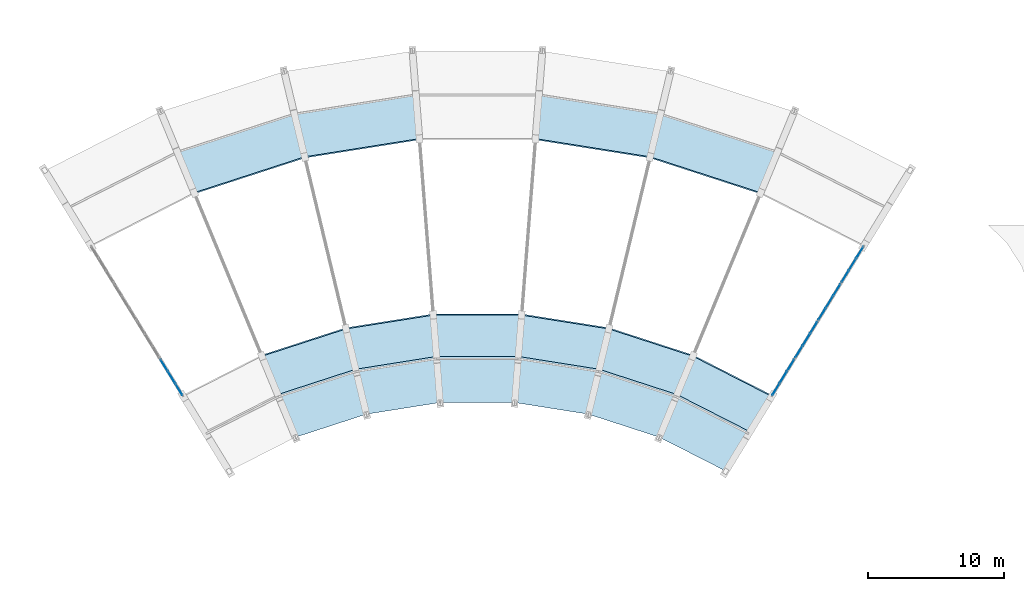
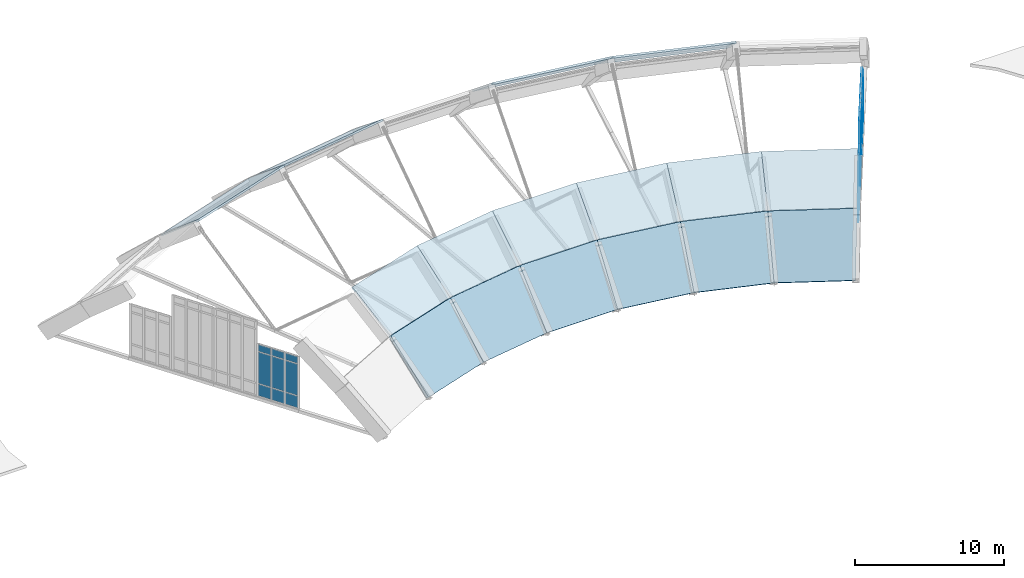
# One storey, part 18 of 34: 44 plates, 16 slabs, 5 elements without a shape of their own.
"""IFC4 building model written with IfcOpenShell, lengths in metres."""

from ifc_helpers import new_model, si_unit, direction, frame, origin, origin_2d, place, context, subcontext, project, spatial, polyline, rectangle, outline, extrude, material, layer, layer_set, type_object, element, aggregate, save


model = new_model("IFC4")

# Units and contexts
model_context = context("Model", 3, precision=1e-05, world=origin(), true_north=direction((0.0, 1.0)))
body_context = subcontext(model_context, "Body", "Model", "MODEL_VIEW")
ifc_project = project(units=[si_unit("LENGTHUNIT", "METRE"), si_unit("AREAUNIT", "SQUARE_METRE"), si_unit("VOLUMEUNIT", "CUBIC_METRE"), si_unit("PLANEANGLEUNIT", "RADIAN"), si_unit("MASSUNIT", "GRAM", prefix="KILO")], contexts=[model_context])

# Site, building, storey
site_placement = place(None, origin())
site = spatial("IfcSite", under=ifc_project, at=site_placement, CompositionType="ELEMENT")
building_placement = place(site_placement, origin())
building = spatial("IfcBuilding", under=site, at=building_placement, Name="Miralva Faculty of Natural Sciences", CompositionType="ELEMENT")
storey_placement = place(building_placement, frame((0.0, 0.0, 24.0)))
storey = spatial("IfcBuildingStorey", under=building, at=storey_placement, Name="L05", CompositionType="ELEMENT", Elevation=24.0)

# Curtain wall, plates
ifc_material_1 = material(Name="Laminated solar-control glass", Category="glass")
ifc_layer_1 = layer(ifc_material_1, 0.179931640625, Name="CW-ARC-L03")
ifc_layer_set_1 = layer_set([ifc_layer_1], Name="Laminated solar-control glass")
curtain_wall_type = type_object("IfcCurtainWallType", Name="CW-ARC-L03", PredefinedType="USERDEFINED", material=ifc_layer_set_1)
curtain_wall_1_placement = place(storey_placement, origin())
curtain_wall_1 = element("IfcCurtainWall", 1, at=curtain_wall_1_placement, inside=storey, type_object=curtain_wall_type, Name="Shell arch W clerestory curtain wall K2", ObjectType="UNITISED CURTAIN WALL", PredefinedType="USERDEFINED")
ifc_layer_2 = layer(ifc_material_1, 0.028076171875, Name="PNL-P01")
ifc_layer_set_2 = layer_set([ifc_layer_2], Name="Laminated solar-control glass")
plate_type = type_object("IfcPlateType", Name="PNL-P01", PredefinedType="CURTAIN_PANEL", material=ifc_layer_set_2)
plate_1_placement = place(storey_placement, frame((66.923583984375, 16.6572265625, 0.1552734375), z_axis=(0.0, 0.0, 1.0), x_axis=(0.522503617054, -0.852637068257, 0.0)))
plate_1 = element("IfcPlate", 2, at=plate_1_placement, type_object=plate_type, Name="CW-03 panel 1.1", PredefinedType="CURTAIN_PANEL", context=body_context, shape_type="SweptSolid", body=[
    extrude(rectangle(XDim=0.959228515625, YDim=0.028076171875, at=origin_2d()), origin(), (0.0, 0.0, 1.0), 0.952392578125),
])
plate_2_placement = place(storey_placement, frame((66.923583984375, 16.6572265625, 1.17236328125), z_axis=(0.0, 0.0, 1.0), x_axis=(0.522503617054, -0.852637068257, 0.0)))
plate_2 = element("IfcPlate", 3, at=plate_2_placement, type_object=plate_type, Name="CW-03 panel 1.2", PredefinedType="CURTAIN_PANEL", context=body_context, shape_type="SweptSolid", body=[
    extrude(rectangle(XDim=0.959228515625, YDim=0.028076171875, at=origin_2d()), origin(), (0.0, 0.0, 1.0), 2.564697265625),
])
plate_3_placement = place(storey_placement, frame((66.923583984375, 16.6572265625, 3.80224609375), z_axis=(0.0, 0.0, 1.0), x_axis=(0.522503617054, -0.852637068257, 0.0)))
plate_3 = element("IfcPlate", 4, at=plate_3_placement, type_object=plate_type, Name="CW-03 panel 1.3", PredefinedType="CURTAIN_PANEL", context=body_context, shape_type="SweptSolid", body=[
    extrude(rectangle(XDim=0.959228515625, YDim=0.028076171875, at=origin_2d()), origin(), (0.0, 0.0, 1.0), 0.552490234375),
])
plate_4_placement = place(storey_placement, frame((67.46728515625, 15.77001953125, 0.1552734375), z_axis=(0.0, 0.0, 1.0), x_axis=(0.522503617054, -0.852637068257, 0.0)))
plate_4 = element("IfcPlate", 5, at=plate_4_placement, type_object=plate_type, Name="CW-03 panel 2.1", PredefinedType="CURTAIN_PANEL", context=body_context, shape_type="SweptSolid", body=[
    extrude(rectangle(XDim=0.99169921875, YDim=0.028076171875, at=origin_2d()), origin(), (0.0, 0.0, 1.0), 0.952392578125),
])
plate_5_placement = place(storey_placement, frame((67.46728515625, 15.77001953125, 1.17236328125), z_axis=(0.0, 0.0, 1.0), x_axis=(0.522503617054, -0.852637068257, 0.0)))
plate_5 = element("IfcPlate", 6, at=plate_5_placement, type_object=plate_type, Name="CW-03 panel 2.2", PredefinedType="CURTAIN_PANEL", context=body_context, shape_type="SweptSolid", body=[
    extrude(rectangle(XDim=0.99169921875, YDim=0.028076171875, at=origin_2d()), origin(), (0.0, 0.0, 1.0), 2.564697265625),
])
plate_6_placement = place(storey_placement, frame((67.46728515625, 15.77001953125, 3.80224609375), z_axis=(0.0, 0.0, 1.0), x_axis=(0.522503617054, -0.852637068257, 0.0)))
plate_6 = element("IfcPlate", 7, at=plate_6_placement, type_object=plate_type, Name="CW-03 panel 2.3", PredefinedType="CURTAIN_PANEL", context=body_context, shape_type="SweptSolid", body=[
    extrude(rectangle(XDim=0.99169921875, YDim=0.028076171875, at=origin_2d()), origin(), (0.0, 0.0, 1.0), 0.552490234375),
])
plate_7_placement = place(storey_placement, frame((68.0107421875, 14.883056640625, 0.1552734375), z_axis=(0.0, 0.0, 1.0), x_axis=(0.522503617054, -0.852637068257, 0.0)))
plate_7 = element("IfcPlate", 8, at=plate_7_placement, type_object=plate_type, Name="CW-03 panel 3.1", PredefinedType="CURTAIN_PANEL", context=body_context, shape_type="SweptSolid", body=[
    extrude(rectangle(XDim=0.959228515625, YDim=0.028076171875, at=origin_2d()), origin(), (0.0, 0.0, 1.0), 0.952392578125),
])
plate_8_placement = place(storey_placement, frame((68.0107421875, 14.883056640625, 1.17236328125), z_axis=(0.0, 0.0, 1.0), x_axis=(0.522503617054, -0.852637068257, 0.0)))
plate_8 = element("IfcPlate", 9, at=plate_8_placement, type_object=plate_type, Name="CW-03 panel 3.2", PredefinedType="CURTAIN_PANEL", context=body_context, shape_type="SweptSolid", body=[
    extrude(rectangle(XDim=0.959228515625, YDim=0.028076171875, at=origin_2d()), origin(), (0.0, 0.0, 1.0), 2.564697265625),
])
plate_9_placement = place(storey_placement, frame((68.0107421875, 14.883056640625, 3.80224609375), z_axis=(0.0, 0.0, 1.0), x_axis=(0.522503617054, -0.852637068257, 0.0)))
plate_9 = element("IfcPlate", 10, at=plate_9_placement, type_object=plate_type, Name="CW-03 panel 3.3", PredefinedType="CURTAIN_PANEL", context=body_context, shape_type="SweptSolid", body=[
    extrude(rectangle(XDim=0.959228515625, YDim=0.028076171875, at=origin_2d()), origin(), (0.0, 0.0, 1.0), 0.552490234375),
])
aggregate(curtain_wall_1, [plate_1, plate_2, plate_3, plate_4, plate_5, plate_6, plate_7, plate_8, plate_9])

curtain_wall_2_placement = place(storey_placement, origin())
curtain_wall_2 = element("IfcCurtainWall", 11, at=curtain_wall_2_placement, inside=storey, type_object=curtain_wall_type, Name="Shell arch E clerestory curtain wall K2", ObjectType="UNITISED CURTAIN WALL", PredefinedType="USERDEFINED")
plate_10_placement = place(storey_placement, frame((111.9892578125, 14.883056640625, 0.1552734375), z_axis=(0.0, 0.0, 1.0), x_axis=(0.522503617054, 0.852637068257, 0.0)))
plate_10 = element("IfcPlate", 12, at=plate_10_placement, type_object=plate_type, Name="CW-03 panel 1.1", PredefinedType="CURTAIN_PANEL", context=body_context, shape_type="SweptSolid", body=[
    extrude(rectangle(XDim=0.959228515625, YDim=0.028076171875, at=origin_2d()), origin(), (0.0, 0.0, 1.0), 0.952392578125),
])
plate_11_placement = place(storey_placement, frame((111.9892578125, 14.883056640625, 1.17236328125), z_axis=(0.0, 0.0, 1.0), x_axis=(0.522503617054, 0.852637068257, 0.0)))
plate_11 = element("IfcPlate", 13, at=plate_11_placement, type_object=plate_type, Name="CW-03 panel 1.2", PredefinedType="CURTAIN_PANEL", context=body_context, shape_type="SweptSolid", body=[
    extrude(rectangle(XDim=0.959228515625, YDim=0.028076171875, at=origin_2d()), origin(), (0.0, 0.0, 1.0), 2.564697265625),
])
plate_12_placement = place(storey_placement, frame((111.9892578125, 14.883056640625, 3.80224609375), z_axis=(0.0, 0.0, 1.0), x_axis=(0.522503617054, 0.852637068257, 0.0)))
plate_12 = element("IfcPlate", 14, at=plate_12_placement, type_object=plate_type, Name="CW-03 panel 1.3", PredefinedType="CURTAIN_PANEL", context=body_context, shape_type="SweptSolid", body=[
    extrude(rectangle(XDim=0.959228515625, YDim=0.028076171875, at=origin_2d()), origin(), (0.0, 0.0, 1.0), 0.552490234375),
])
plate_13_placement = place(storey_placement, frame((112.53271484375, 15.77001953125, 0.1552734375), z_axis=(0.0, 0.0, 1.0), x_axis=(0.522503617054, 0.852637068257, 0.0)))
plate_13 = element("IfcPlate", 15, at=plate_13_placement, type_object=plate_type, Name="CW-03 panel 2.1", PredefinedType="CURTAIN_PANEL", context=body_context, shape_type="SweptSolid", body=[
    extrude(rectangle(XDim=0.99169921875, YDim=0.028076171875, at=origin_2d()), origin(), (0.0, 0.0, 1.0), 0.952392578125),
])
plate_14_placement = place(storey_placement, frame((112.53271484375, 15.77001953125, 1.17236328125), z_axis=(0.0, 0.0, 1.0), x_axis=(0.522503617054, 0.852637068257, 0.0)))
plate_14 = element("IfcPlate", 16, at=plate_14_placement, type_object=plate_type, Name="CW-03 panel 2.2", PredefinedType="CURTAIN_PANEL", context=body_context, shape_type="SweptSolid", body=[
    extrude(rectangle(XDim=0.99169921875, YDim=0.028076171875, at=origin_2d()), origin(), (0.0, 0.0, 1.0), 2.564697265625),
])
plate_15_placement = place(storey_placement, frame((112.53271484375, 15.77001953125, 3.80224609375), z_axis=(0.0, 0.0, 1.0), x_axis=(0.522503617054, 0.852637068257, 0.0)))
plate_15 = element("IfcPlate", 17, at=plate_15_placement, type_object=plate_type, Name="CW-03 panel 2.3", PredefinedType="CURTAIN_PANEL", context=body_context, shape_type="SweptSolid", body=[
    extrude(rectangle(XDim=0.99169921875, YDim=0.028076171875, at=origin_2d()), origin(), (0.0, 0.0, 1.0), 0.552490234375),
])
plate_16_placement = place(storey_placement, frame((113.076416015625, 16.6572265625, 0.1552734375), z_axis=(0.0, 0.0, 1.0), x_axis=(0.522503617054, 0.852637068257, 0.0)))
plate_16 = element("IfcPlate", 18, at=plate_16_placement, type_object=plate_type, Name="CW-03 panel 3.1", PredefinedType="CURTAIN_PANEL", context=body_context, shape_type="SweptSolid", body=[
    extrude(rectangle(XDim=0.959228515625, YDim=0.028076171875, at=origin_2d()), origin(), (0.0, 0.0, 1.0), 0.952392578125),
])
plate_17_placement = place(storey_placement, frame((113.076416015625, 16.6572265625, 1.17236328125), z_axis=(0.0, 0.0, 1.0), x_axis=(0.522503617054, 0.852637068257, 0.0)))
plate_17 = element("IfcPlate", 19, at=plate_17_placement, type_object=plate_type, Name="CW-03 panel 3.2", PredefinedType="CURTAIN_PANEL", context=body_context, shape_type="SweptSolid", body=[
    extrude(rectangle(XDim=0.959228515625, YDim=0.028076171875, at=origin_2d()), origin(), (0.0, 0.0, 1.0), 2.564697265625),
])
plate_18_placement = place(storey_placement, frame((113.076416015625, 16.6572265625, 3.80224609375), z_axis=(0.0, 0.0, 1.0), x_axis=(0.522503617054, 0.852637068257, 0.0)))
plate_18 = element("IfcPlate", 20, at=plate_18_placement, type_object=plate_type, Name="CW-03 panel 3.3", PredefinedType="CURTAIN_PANEL", context=body_context, shape_type="SweptSolid", body=[
    extrude(rectangle(XDim=0.959228515625, YDim=0.028076171875, at=origin_2d()), origin(), (0.0, 0.0, 1.0), 0.552490234375),
])
aggregate(curtain_wall_2, [plate_10, plate_11, plate_12, plate_13, plate_14, plate_15, plate_16, plate_17, plate_18])

curtain_wall_3_placement = place(storey_placement, origin())
curtain_wall_3 = element("IfcCurtainWall", 21, at=curtain_wall_3_placement, inside=storey, type_object=curtain_wall_type, Name="Shell arch E clerestory curtain wall K3", ObjectType="UNITISED CURTAIN WALL", PredefinedType="USERDEFINED")
plate_19_placement = place(storey_placement, frame((113.687255859375, 17.654052734375, 0.1552734375), z_axis=(0.0, 0.0, 1.0), x_axis=(0.522503617054, 0.852637068257, 0.0)))
plate_19 = element("IfcPlate", 22, at=plate_19_placement, type_object=plate_type, Name="CW-03 panel 1.1", PredefinedType="CURTAIN_PANEL", context=body_context, shape_type="SweptSolid", body=[
    extrude(rectangle(XDim=0.959228515625, YDim=0.028076171875, at=origin_2d()), origin(), (0.0, 0.0, 1.0), 0.952392578125),
])
plate_20_placement = place(storey_placement, frame((113.687255859375, 17.654052734375, 1.17236328125), z_axis=(0.0, 0.0, 1.0), x_axis=(0.522503617054, 0.852637068257, 0.0)))
plate_20 = element("IfcPlate", 23, at=plate_20_placement, type_object=plate_type, Name="CW-03 panel 1.2", PredefinedType="CURTAIN_PANEL", context=body_context, shape_type="SweptSolid", body=[
    extrude(rectangle(XDim=0.959228515625, YDim=0.028076171875, at=origin_2d()), origin(), (0.0, 0.0, 1.0), 4.385498046875),
])
plate_21_placement = place(storey_placement, frame((113.687255859375, 17.654052734375, 5.623046875), z_axis=(0.0, 0.0, 1.0), x_axis=(0.522503617054, 0.852637068257, 0.0)))
plate_21 = element("IfcPlate", 24, at=plate_21_placement, type_object=plate_type, Name="CW-03 panel 1.3", PredefinedType="CURTAIN_PANEL", context=body_context, shape_type="SweptSolid", body=[
    extrude(rectangle(XDim=0.959228515625, YDim=0.028076171875, at=origin_2d()), origin(), (0.0, 0.0, 1.0), 0.552490234375),
])
plate_22_placement = place(storey_placement, frame((114.23095703125, 18.541259765625, 0.1552734375), z_axis=(0.0, 0.0, 1.0), x_axis=(0.522503617054, 0.852637068257, 0.0)))
plate_22 = element("IfcPlate", 25, at=plate_22_placement, type_object=plate_type, Name="CW-03 panel 2.1", PredefinedType="CURTAIN_PANEL", context=body_context, shape_type="SweptSolid", body=[
    extrude(rectangle(XDim=0.99169921875, YDim=0.028076171875, at=origin_2d()), origin(), (0.0, 0.0, 1.0), 0.952392578125),
])
plate_23_placement = place(storey_placement, frame((114.23095703125, 18.541259765625, 1.17236328125), z_axis=(0.0, 0.0, 1.0), x_axis=(0.522503617054, 0.852637068257, 0.0)))
plate_23 = element("IfcPlate", 26, at=plate_23_placement, type_object=plate_type, Name="CW-03 panel 2.2", PredefinedType="CURTAIN_PANEL", context=body_context, shape_type="SweptSolid", body=[
    extrude(rectangle(XDim=0.99169921875, YDim=0.028076171875, at=origin_2d()), origin(), (0.0, 0.0, 1.0), 4.385498046875),
])
plate_24_placement = place(storey_placement, frame((114.23095703125, 18.541259765625, 5.623046875), z_axis=(0.0, 0.0, 1.0), x_axis=(0.522503617054, 0.852637068257, 0.0)))
plate_24 = element("IfcPlate", 27, at=plate_24_placement, type_object=plate_type, Name="CW-03 panel 2.3", PredefinedType="CURTAIN_PANEL", context=body_context, shape_type="SweptSolid", body=[
    extrude(rectangle(XDim=0.99169921875, YDim=0.028076171875, at=origin_2d()), origin(), (0.0, 0.0, 1.0), 0.552490234375),
])
plate_25_placement = place(storey_placement, frame((114.7744140625, 19.42822265625, 0.1552734375), z_axis=(0.0, 0.0, 1.0), x_axis=(0.522503617054, 0.852637068257, 0.0)))
plate_25 = element("IfcPlate", 28, at=plate_25_placement, type_object=plate_type, Name="CW-03 panel 3.1", PredefinedType="CURTAIN_PANEL", context=body_context, shape_type="SweptSolid", body=[
    extrude(rectangle(XDim=0.959228515625, YDim=0.028076171875, at=origin_2d()), origin(), (0.0, 0.0, 1.0), 0.952392578125),
])
plate_26_placement = place(storey_placement, frame((114.7744140625, 19.42822265625, 1.17236328125), z_axis=(0.0, 0.0, 1.0), x_axis=(0.522503617054, 0.852637068257, 0.0)))
plate_26 = element("IfcPlate", 29, at=plate_26_placement, type_object=plate_type, Name="CW-03 panel 3.2", PredefinedType="CURTAIN_PANEL", context=body_context, shape_type="SweptSolid", body=[
    extrude(rectangle(XDim=0.959228515625, YDim=0.028076171875, at=origin_2d()), origin(), (0.0, 0.0, 1.0), 4.385498046875),
])
plate_27_placement = place(storey_placement, frame((114.7744140625, 19.42822265625, 5.623046875), z_axis=(0.0, 0.0, 1.0), x_axis=(0.522503617054, 0.852637068257, 0.0)))
plate_27 = element("IfcPlate", 30, at=plate_27_placement, type_object=plate_type, Name="CW-03 panel 3.3", PredefinedType="CURTAIN_PANEL", context=body_context, shape_type="SweptSolid", body=[
    extrude(rectangle(XDim=0.959228515625, YDim=0.028076171875, at=origin_2d()), origin(), (0.0, 0.0, 1.0), 0.552490234375),
])
aggregate(curtain_wall_3, [plate_19, plate_20, plate_21, plate_22, plate_23, plate_24, plate_25, plate_26, plate_27])

curtain_wall_4_placement = place(storey_placement, origin())
curtain_wall_4 = element("IfcCurtainWall", 31, at=curtain_wall_4_placement, inside=storey, type_object=curtain_wall_type, Name="Shell arch E clerestory curtain wall K4", ObjectType="UNITISED CURTAIN WALL", PredefinedType="USERDEFINED")
plate_28_placement = place(storey_placement, frame((115.38525390625, 20.425048828125, 0.1552734375), z_axis=(0.0, 0.0, 1.0), x_axis=(0.522512496459, 0.852631626815, 0.0)))
plate_28 = element("IfcPlate", 32, at=plate_28_placement, type_object=plate_type, Name="CW-03 panel 1.1", PredefinedType="CURTAIN_PANEL", context=body_context, shape_type="SweptSolid", body=[
    extrude(rectangle(XDim=0.959228515625, YDim=0.028076171875, at=origin_2d()), origin(), (0.0, 0.0, 1.0), 0.952392578125),
])
plate_29_placement = place(storey_placement, frame((115.38525390625, 20.425048828125, 1.17236328125), z_axis=(0.0, 0.0, 1.0), x_axis=(0.522512496459, 0.852631626815, 0.0)))
plate_29 = element("IfcPlate", 33, at=plate_29_placement, type_object=plate_type, Name="CW-03 panel 1.2", PredefinedType="CURTAIN_PANEL", context=body_context, shape_type="SweptSolid", body=[
    extrude(rectangle(XDim=0.959228515625, YDim=0.028076171875, at=origin_2d()), origin(), (0.0, 0.0, 1.0), 4.385498046875),
])
plate_30_placement = place(storey_placement, frame((115.38525390625, 20.425048828125, 5.623046875), z_axis=(0.0, 0.0, 1.0), x_axis=(0.522512496459, 0.852631626815, 0.0)))
plate_30 = element("IfcPlate", 34, at=plate_30_placement, type_object=plate_type, Name="CW-03 panel 1.3", PredefinedType="CURTAIN_PANEL", context=body_context, shape_type="SweptSolid", body=[
    extrude(rectangle(XDim=0.959228515625, YDim=0.028076171875, at=origin_2d()), origin(), (0.0, 0.0, 1.0), 0.552490234375),
])
plate_31_placement = place(storey_placement, frame((115.928955078125, 21.312255859375, 0.1552734375), z_axis=(0.0, 0.0, 1.0), x_axis=(0.522512496459, 0.852631626815, 0.0)))
plate_31 = element("IfcPlate", 35, at=plate_31_placement, type_object=plate_type, Name="CW-03 panel 2.1", PredefinedType="CURTAIN_PANEL", context=body_context, shape_type="SweptSolid", body=[
    extrude(rectangle(XDim=0.99169921875, YDim=0.028076171875, at=origin_2d()), origin(), (0.0, 0.0, 1.0), 0.952392578125),
])
plate_32_placement = place(storey_placement, frame((115.928955078125, 21.312255859375, 1.17236328125), z_axis=(0.0, 0.0, 1.0), x_axis=(0.522512496459, 0.852631626815, 0.0)))
plate_32 = element("IfcPlate", 36, at=plate_32_placement, type_object=plate_type, Name="CW-03 panel 2.2", PredefinedType="CURTAIN_PANEL", context=body_context, shape_type="SweptSolid", body=[
    extrude(rectangle(XDim=0.99169921875, YDim=0.028076171875, at=origin_2d()), origin(), (0.0, 0.0, 1.0), 4.385498046875),
])
plate_33_placement = place(storey_placement, frame((115.928955078125, 21.312255859375, 5.623046875), z_axis=(0.0, 0.0, 1.0), x_axis=(0.522512496459, 0.852631626815, 0.0)))
plate_33 = element("IfcPlate", 37, at=plate_33_placement, type_object=plate_type, Name="CW-03 panel 2.3", PredefinedType="CURTAIN_PANEL", context=body_context, shape_type="SweptSolid", body=[
    extrude(rectangle(XDim=0.99169921875, YDim=0.028076171875, at=origin_2d()), origin(), (0.0, 0.0, 1.0), 0.552490234375),
])
plate_34_placement = place(storey_placement, frame((116.47265625, 22.199462890625, 0.1552734375), z_axis=(0.0, 0.0, 1.0), x_axis=(0.522512496459, 0.852631626815, 0.0)))
plate_34 = element("IfcPlate", 38, at=plate_34_placement, type_object=plate_type, Name="CW-03 panel 3.1", PredefinedType="CURTAIN_PANEL", context=body_context, shape_type="SweptSolid", body=[
    extrude(rectangle(XDim=0.959228515625, YDim=0.028076171875, at=origin_2d()), origin(), (0.0, 0.0, 1.0), 0.952392578125),
])
plate_35_placement = place(storey_placement, frame((116.47265625, 22.199462890625, 1.17236328125), z_axis=(0.0, 0.0, 1.0), x_axis=(0.522512496459, 0.852631626815, 0.0)))
plate_35 = element("IfcPlate", 39, at=plate_35_placement, type_object=plate_type, Name="CW-03 panel 3.2", PredefinedType="CURTAIN_PANEL", context=body_context, shape_type="SweptSolid", body=[
    extrude(rectangle(XDim=0.959228515625, YDim=0.028076171875, at=origin_2d()), origin(), (0.0, 0.0, 1.0), 4.385498046875),
])
plate_36_placement = place(storey_placement, frame((116.47265625, 22.199462890625, 5.623046875), z_axis=(0.0, 0.0, 1.0), x_axis=(0.522512496459, 0.852631626815, 0.0)))
plate_36 = element("IfcPlate", 40, at=plate_36_placement, type_object=plate_type, Name="CW-03 panel 3.3", PredefinedType="CURTAIN_PANEL", context=body_context, shape_type="SweptSolid", body=[
    extrude(rectangle(XDim=0.959228515625, YDim=0.028076171875, at=origin_2d()), origin(), (0.0, 0.0, 1.0), 0.552490234375),
])
aggregate(curtain_wall_4, [plate_28, plate_29, plate_30, plate_31, plate_32, plate_33, plate_34, plate_35, plate_36])

curtain_wall_5_placement = place(storey_placement, origin())
curtain_wall_5 = element("IfcCurtainWall", 41, at=curtain_wall_5_placement, inside=storey, type_object=curtain_wall_type, Name="Shell arch E clerestory curtain wall K5", ObjectType="UNITISED CURTAIN WALL", PredefinedType="USERDEFINED")
plate_37_placement = place(storey_placement, frame((117.08349609375, 23.1962890625, 0.1552734375), z_axis=(0.0, 0.0, 1.0), x_axis=(0.522489563224, 0.85264568041, 0.0)))
plate_37 = element("IfcPlate", 42, at=plate_37_placement, type_object=plate_type, Name="CW-03 panel 1.1", PredefinedType="CURTAIN_PANEL", context=body_context, shape_type="SweptSolid", body=[
    extrude(rectangle(XDim=0.959228515625, YDim=0.028076171875, at=origin_2d()), origin(), (0.0, 0.0, 1.0), 0.952392578125),
])
plate_38_placement = place(storey_placement, frame((117.08349609375, 23.1962890625, 1.17236328125), z_axis=(0.0, 0.0, 1.0), x_axis=(0.522489563224, 0.85264568041, 0.0)))
plate_38 = element("IfcPlate", 43, at=plate_38_placement, type_object=plate_type, Name="CW-03 panel 1.2", PredefinedType="CURTAIN_PANEL", context=body_context, shape_type="SweptSolid", body=[
    extrude(rectangle(XDim=0.959228515625, YDim=0.028076171875, at=origin_2d()), origin(), (0.0, 0.0, 1.0), 2.564697265625),
])
plate_39_placement = place(storey_placement, frame((117.08349609375, 23.1962890625, 3.80224609375), z_axis=(0.0, 0.0, 1.0), x_axis=(0.522489563224, 0.85264568041, 0.0)))
plate_39 = element("IfcPlate", 44, at=plate_39_placement, type_object=plate_type, Name="CW-03 panel 1.3", PredefinedType="CURTAIN_PANEL", context=body_context, shape_type="SweptSolid", body=[
    extrude(rectangle(XDim=0.959228515625, YDim=0.028076171875, at=origin_2d()), origin(), (0.0, 0.0, 1.0), 0.552490234375),
])
plate_40_placement = place(storey_placement, frame((117.627197265625, 24.083251953125, 0.1552734375), z_axis=(0.0, 0.0, 1.0), x_axis=(0.522489563224, 0.85264568041, 0.0)))
plate_40 = element("IfcPlate", 45, at=plate_40_placement, type_object=plate_type, Name="CW-03 panel 2.1", PredefinedType="CURTAIN_PANEL", context=body_context, shape_type="SweptSolid", body=[
    extrude(rectangle(XDim=0.99169921875, YDim=0.028076171875, at=origin_2d()), origin(), (0.0, 0.0, 1.0), 0.952392578125),
])
plate_41_placement = place(storey_placement, frame((117.627197265625, 24.083251953125, 1.17236328125), z_axis=(0.0, 0.0, 1.0), x_axis=(0.522489563224, 0.85264568041, 0.0)))
plate_41 = element("IfcPlate", 46, at=plate_41_placement, type_object=plate_type, Name="CW-03 panel 2.2", PredefinedType="CURTAIN_PANEL", context=body_context, shape_type="SweptSolid", body=[
    extrude(rectangle(XDim=0.99169921875, YDim=0.028076171875, at=origin_2d()), origin(), (0.0, 0.0, 1.0), 2.564697265625),
])
plate_42_placement = place(storey_placement, frame((117.627197265625, 24.083251953125, 3.80224609375), z_axis=(0.0, 0.0, 1.0), x_axis=(0.522489563224, 0.85264568041, 0.0)))
plate_42 = element("IfcPlate", 47, at=plate_42_placement, type_object=plate_type, Name="CW-03 panel 2.3", PredefinedType="CURTAIN_PANEL", context=body_context, shape_type="SweptSolid", body=[
    extrude(rectangle(XDim=0.99169921875, YDim=0.028076171875, at=origin_2d()), origin(), (0.0, 0.0, 1.0), 0.552490234375),
])
plate_43_placement = place(storey_placement, frame((118.170654296875, 24.970458984375, 0.1552734375), z_axis=(0.0, 0.0, 1.0), x_axis=(0.522489563224, 0.85264568041, 0.0)))
plate_43 = element("IfcPlate", 48, at=plate_43_placement, type_object=plate_type, Name="CW-03 panel 3.1", PredefinedType="CURTAIN_PANEL", context=body_context, shape_type="SweptSolid", body=[
    extrude(rectangle(XDim=0.959228515625, YDim=0.028076171875, at=origin_2d()), origin(), (0.0, 0.0, 1.0), 0.952392578125),
])
plate_44_placement = place(storey_placement, frame((118.170654296875, 24.970458984375, 1.17236328125), z_axis=(0.0, 0.0, 1.0), x_axis=(0.522489563224, 0.85264568041, 0.0)))
plate_44 = element("IfcPlate", 49, at=plate_44_placement, type_object=plate_type, Name="CW-03 panel 3.2", PredefinedType="CURTAIN_PANEL", context=body_context, shape_type="SweptSolid", body=[
    extrude(rectangle(XDim=0.959228515625, YDim=0.028076171875, at=origin_2d()), origin(), (0.0, 0.0, 1.0), 2.564697265625),
])
aggregate(curtain_wall_5, [plate_37, plate_38, plate_39, plate_40, plate_41, plate_42, plate_43, plate_44])

# Slabs
ifc_material_2 = material(Name="Concrete C40/50", Category="concrete")
ifc_layer_3 = layer(ifc_material_2, 0.139892578125, Name="SL-SH01")
ifc_layer_set_3 = layer_set([ifc_layer_3], Name="Concrete C40/50")
slab_type_1 = type_object("IfcSlabType", Name="SL-SH01", PredefinedType="ROOF", material=ifc_layer_set_3)
slab_1_placement = place(storey_placement, frame((75.354736328125, 14.35693359375, 3.675048828125), z_axis=(0.195988415664, -0.603171671415, 0.773157471494), x_axis=(0.951054290163, 0.309023845616, -1.54441e-06)))
element("IfcSlab", 50, at=slab_1_placement, inside=storey, type_object=slab_type_1, Name="Thin concrete shell roof bay 2 strip 2", PredefinedType="ROOF", context=body_context, shape_type="SweptSolid", body=[
    extrude(outline(polyline([(0.0, 0.0), (6.005103335039287, 0.0), (6.2570729747357525, 4.138996065667129), (-0.251955356664343, 4.138965591807471), (0.0, 0.0)])), origin(), (0.0, 0.0, -1.0), 0.139892578125),
])
slab_2_placement = place(storey_placement, frame((69.135986328125, 29.369873046875, 6.300048828125), z_axis=(-0.195978567101, 0.603160409901, 0.773168753355), x_axis=(0.951056157692, 0.309018098039, -1.11187e-06)))
element("IfcSlab", 51, at=slab_2_placement, inside=storey, type_object=slab_type_1, Name="Thin concrete shell roof bay 2 strip 7", PredefinedType="ROOF", context=body_context, shape_type="SweptSolid", body=[
    extrude(outline(polyline([(0.0, 0.0), (8.55545815605718, 2.220446049250313e-16), (8.807183237635108, 4.139055149082713), (-0.25166008777853666, 4.139086030204529), (0.0, 0.0)])), origin(), (0.0, 0.0, -1.0), 0.139892578125),
])
slab_3_placement = place(storey_placement, frame((81.06591796875, 16.212646484375, 3.675048828125), z_axis=(0.099205731583, -0.62641404073, 0.77315177837), x_axis=(0.987688986228, 0.156430388439, 7.48011e-06)))
element("IfcSlab", 52, at=slab_3_placement, inside=storey, type_object=slab_type_1, Name="Thin concrete shell roof bay 3 strip 2", PredefinedType="ROOF", context=body_context, shape_type="SweptSolid", body=[
    extrude(outline(polyline([(0.0, 0.0), (6.005333997834983, -1.1102230246251565e-16), (6.257313046324063, 4.138861736147529), (-0.2517516006834846, 4.139009333072137), (0.0, 0.0)])), origin(), (0.0, 0.0, -1.0), 0.139892578125),
])
slab_4_placement = place(storey_placement, frame((77.272705078125, 32.013671875, 6.300048828125), z_axis=(-0.099200148495, 0.626398172937, 0.773165350672), x_axis=(0.987691281513, 0.156415895683, 6.34429e-07)))
element("IfcSlab", 53, at=slab_4_placement, inside=storey, type_object=slab_type_1, Name="Thin concrete shell roof bay 3 strip 7", PredefinedType="ROOF", context=body_context, shape_type="SweptSolid", body=[
    extrude(outline(polyline([(0.0, 0.0), (8.555007514016612, -2.220446049250313e-16), (8.806956495459584, 4.139052326519034), (-0.2520609934865012, 4.1390347062459165), (0.0, 0.0)])), origin(), (0.0, 0.0, -1.0), 0.139892578125),
])
slab_5_placement = place(storey_placement, frame((86.997314453125, 17.152099609375, 3.675048828125), z_axis=(0.0, -0.634229830516, 0.773144567389), x_axis=(1.0, 0.0, 0.0)))
element("IfcSlab", 54, at=slab_5_placement, inside=storey, type_object=slab_type_1, Name="Thin concrete shell roof bay 4 strip 2", PredefinedType="ROOF", context=body_context, shape_type="SweptSolid", body=[
    extrude(outline(polyline([(0.0, 0.0), (6.00537109375, 0.0), (6.257080078125, 4.1388781695508), (-0.251708984375, 4.1388781695508), (0.0, 0.0)])), origin(), (0.0, 0.0, -1.0), 0.139892578125),
])
slab_6_placement = place(storey_placement, frame((93.002685546875, 17.152099609375, 3.675048828125), z_axis=(-0.099205731583, -0.62641404073, 0.77315177837), x_axis=(0.987688986228, -0.156430388439, -7.48011e-06)))
element("IfcSlab", 55, at=slab_6_placement, inside=storey, type_object=slab_type_1, Name="Thin concrete shell roof bay 5 strip 2", PredefinedType="ROOF", context=body_context, shape_type="SweptSolid", body=[
    extrude(outline(polyline([(0.0, 0.0), (6.005333997834983, 1.1102230246251565e-16), (6.257085598518468, 4.139009333072137), (-0.2519790484890798, 4.13886173614753), (0.0, 0.0)])), origin(), (0.0, 0.0, -1.0), 0.139892578125),
])
slab_7_placement = place(storey_placement, frame((94.277587890625, 33.351806640625, 6.300048828125), z_axis=(0.099200148495, 0.626398172937, 0.773165350672), x_axis=(0.987691281513, -0.156415895683, -6.34429e-07)))
element("IfcSlab", 56, at=slab_7_placement, inside=storey, type_object=slab_type_1, Name="Thin concrete shell roof bay 5 strip 7", PredefinedType="ROOF", context=body_context, shape_type="SweptSolid", body=[
    extrude(outline(polyline([(0.0, 0.0), (8.555007514016612, 2.220446049250313e-16), (8.807068507503113, 4.1390347062459165), (-0.25194898144297195, 4.139052326519035), (0.0, 0.0)])), origin(), (0.0, 0.0, -1.0), 0.139892578125),
])
slab_8_placement = place(storey_placement, frame((98.93408203125, 16.212646484375, 3.675048828125), z_axis=(-0.195988415664, -0.603171671415, 0.773157471494), x_axis=(0.951054290163, -0.309023845616, 1.54441e-06)))
element("IfcSlab", 57, at=slab_8_placement, inside=storey, type_object=slab_type_1, Name="Thin concrete shell roof bay 6 strip 2", PredefinedType="ROOF", context=body_context, shape_type="SweptSolid", body=[
    extrude(outline(polyline([(0.0, 0.0), (6.005103335039287, 0.0), (6.25705869170363, 4.138965591807471), (-0.25196963969646524, 4.138996065667129), (0.0, 0.0)])), origin(), (0.0, 0.0, -1.0), 0.139892578125),
])
slab_9_placement = place(storey_placement, frame((102.727294921875, 32.013671875, 6.300048828125), z_axis=(0.195978567101, 0.603160409901, 0.773168753355), x_axis=(0.951056157692, -0.309018098039, 1.11187e-06)))
element("IfcSlab", 58, at=slab_9_placement, inside=storey, type_object=slab_type_1, Name="Thin concrete shell roof bay 6 strip 7", PredefinedType="ROOF", context=body_context, shape_type="SweptSolid", body=[
    extrude(outline(polyline([(0.0, 0.0), (8.55545815605718, -2.220446049250313e-16), (8.807118243835717, 4.139086030204529), (-0.25172508157792917, 4.139055149082713), (0.0, 0.0)])), origin(), (0.0, 0.0, -1.0), 0.139892578125),
])
slab_10_placement = place(storey_placement, frame((104.645263671875, 14.35693359375, 3.675048828125), z_axis=(-0.287937683744, -0.565098274861, 0.773146706667), x_axis=(0.891007700789, -0.45398819044, 8.730993e-06)))
element("IfcSlab", 59, at=slab_10_placement, inside=storey, type_object=slab_type_1, Name="Thin concrete shell roof bay 7 strip 2", PredefinedType="ROOF", context=body_context, shape_type="SweptSolid", body=[
    extrude(outline(polyline([(0.0, 0.0), (6.005347143757238, -2.220446049250313e-16), (6.257109389246811, 4.13880905085643), (-0.25169675860982743, 4.138981325056693), (0.0, 0.0)])), origin(), (0.0, 0.0, -1.0), 0.139892578125),
])
ifc_layer_4 = layer(ifc_material_2, 0.260009765625, Name="SL-SH02")
ifc_layer_set_4 = layer_set([ifc_layer_4], Name="Concrete C40/50")
slab_type_2 = type_object("IfcSlabType", Name="SL-SH02", PredefinedType="ROOF", material=ifc_layer_set_4)
slab_11_placement = place(storey_placement, frame((76.598388671875, 11.354248046875, 0.0), z_axis=(0.233058617445, -0.717261162602, 0.656673515118), x_axis=(0.951052611098, 0.309029013031, 5.333708e-06)))
element("IfcSlab", 60, at=slab_11_placement, inside=storey, type_object=slab_type_2, Name="Thin concrete shell roof bay 2 strip 1", PredefinedType="ROOF", context=body_context, shape_type="SweptSolid", body=[
    extrude(outline(polyline([(0.0, 0.0), (5.495309829204603, 2.220446049250313e-16), (5.747245065392384, 4.872898585420803), (-0.25168212325444217, 4.872979875442373), (0.0, 0.0)])), origin(), (0.0, 0.0, -1.0), 0.260009765625),
])
slab_12_placement = place(storey_placement, frame((81.82470703125, 13.052490234375, 0.0), z_axis=(0.11797851334, -0.744890542949, 0.656672787175), x_axis=(0.987689006165, 0.156430262686, -4.046587e-06)))
element("IfcSlab", 61, at=slab_12_placement, inside=storey, type_object=slab_type_2, Name="Thin concrete shell roof bay 3 strip 1", PredefinedType="ROOF", context=body_context, shape_type="SweptSolid", body=[
    extrude(outline(polyline([(0.0, 0.0), (5.4953840185503635, 0.0), (5.7470870179104745, 4.872965972346899), (-0.2518247058171606, 4.872904298815507), (0.0, 0.0)])), origin(), (0.0, 0.0, -1.0), 0.260009765625),
])
slab_13_placement = place(storey_placement, frame((87.25244140625, 13.912109375, 0.0), z_axis=(0.0, -0.754172837949, 0.656675970704), x_axis=(1.0, 0.0, 0.0)))
element("IfcSlab", 62, at=slab_13_placement, inside=storey, type_object=slab_type_2, Name="Thin concrete shell roof bay 4 strip 1", PredefinedType="ROOF", context=body_context, shape_type="SweptSolid", body=[
    extrude(outline(polyline([(0.0, 0.0), (5.4951171875, 0.0), (5.7470703125, 4.872953046304378), (-0.251953125, 4.872953046304378), (0.0, 0.0)])), origin(), (0.0, 0.0, -1.0), 0.260009765625),
])
slab_14_placement = place(storey_placement, frame((92.74755859375, 13.912109375, 0.0), z_axis=(-0.11797851334, -0.744890542949, 0.656672787175), x_axis=(0.987689006165, -0.156430262686, 4.046587e-06)))
element("IfcSlab", 63, at=slab_14_placement, inside=storey, type_object=slab_type_2, Name="Thin concrete shell roof bay 5 strip 1", PredefinedType="ROOF", context=body_context, shape_type="SweptSolid", body=[
    extrude(outline(polyline([(0.0, 0.0), (5.4953840185503635, 0.0), (5.747208724367523, 4.872904298815506), (-0.251702999360111, 4.872965972346899), (0.0, 0.0)])), origin(), (0.0, 0.0, -1.0), 0.260009765625),
])
slab_15_placement = place(storey_placement, frame((98.17529296875, 13.052490234375, 0.0), z_axis=(-0.233058617445, -0.717261162602, 0.656673515118), x_axis=(0.951052611098, -0.309029013031, -5.333708e-06)))
element("IfcSlab", 64, at=slab_15_placement, inside=storey, type_object=slab_type_2, Name="Thin concrete shell roof bay 6 strip 1", PredefinedType="ROOF", context=body_context, shape_type="SweptSolid", body=[
    extrude(outline(polyline([(0.0, 0.0), (5.495309829204603, -2.220446049250313e-16), (5.746991952459045, 4.872979875442373), (-0.25193523618778124, 4.872898585420803), (0.0, 0.0)])), origin(), (0.0, 0.0, -1.0), 0.260009765625),
])
slab_16_placement = place(storey_placement, frame((103.401611328125, 11.354248046875, 0.0), z_axis=(-0.342372514046, -0.671977943747, 0.656678539884), x_axis=(0.891015946712, -0.453972006521, 2.95837e-07)))
element("IfcSlab", 65, at=slab_16_placement, inside=storey, type_object=slab_type_2, Name="Thin concrete shell roof bay 7 strip 1", PredefinedType="ROOF", context=body_context, shape_type="SweptSolid", body=[
    extrude(outline(polyline([(0.0, 0.0), (5.495119817856978, 0.0), (5.747135885740055, 4.872965246248361), (-0.2518779985509256, 4.8729697550327895), (0.0, 0.0)])), origin(), (0.0, 0.0, -1.0), 0.260009765625),
])

save(model, "model.ifc")
